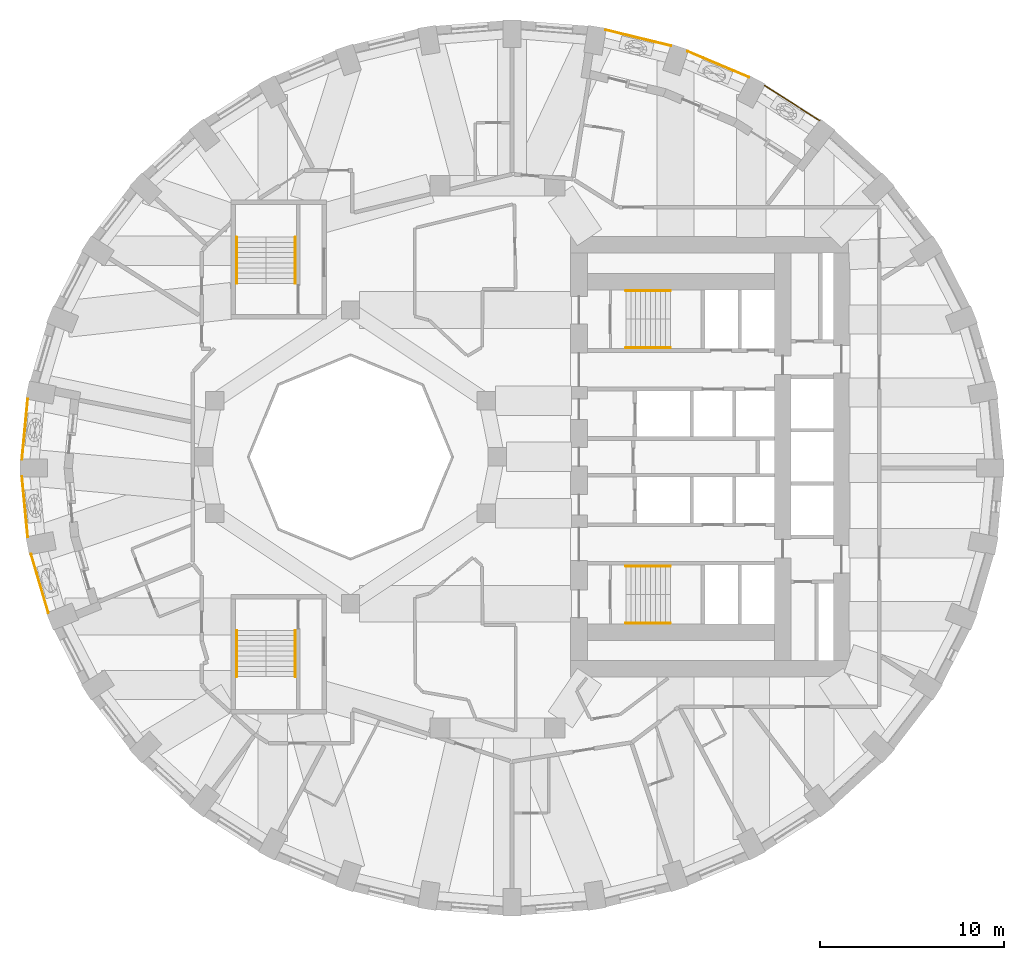
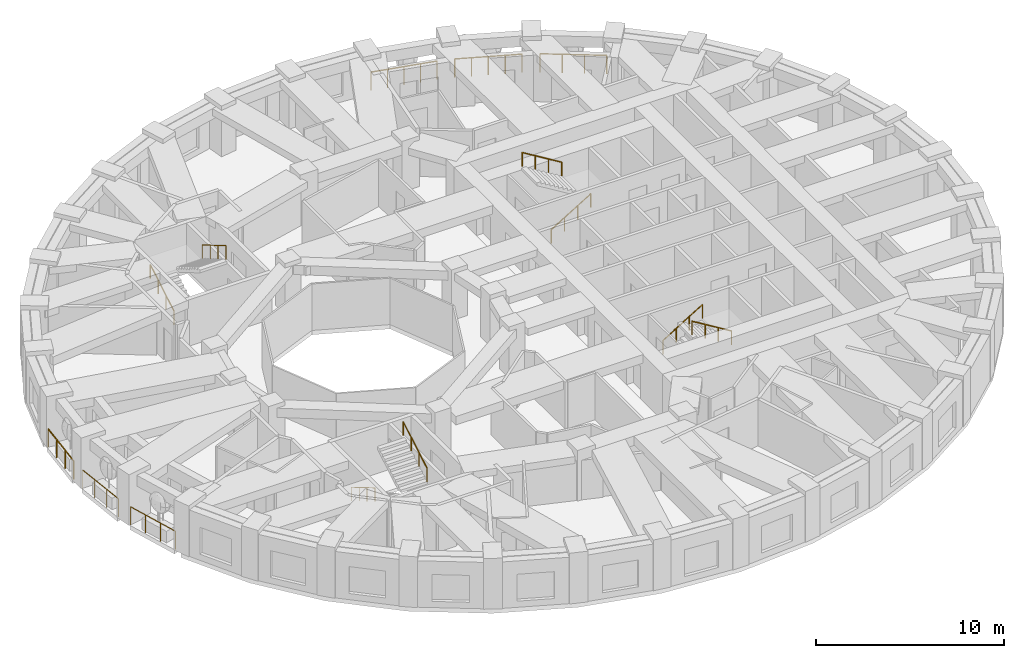
# One storey, part 10 of 12: 14 railings.
"""IFC4 building model written with IfcOpenShell, lengths in metres."""

from ifc_helpers import new_model, si_unit, direction, frame, origin, origin_2d, place, context, subcontext, project, spatial, circle, extrude, material, type_object, element, save


model = new_model("IFC4")

# Units and contexts
model_context = context("Model", 3, precision=1e-05, world=origin(), true_north=direction((0.0, 1.0)))
body_context = subcontext(model_context, "Body", "Model", "MODEL_VIEW")
ifc_project = project(units=[si_unit("LENGTHUNIT", "METRE"), si_unit("AREAUNIT", "SQUARE_METRE"), si_unit("VOLUMEUNIT", "CUBIC_METRE"), si_unit("PLANEANGLEUNIT", "RADIAN"), si_unit("MASSUNIT", "GRAM", prefix="KILO")], contexts=[model_context])

# Site, building, storey
site_placement = place(None, origin())
site = spatial("IfcSite", under=ifc_project, at=site_placement, CompositionType="ELEMENT")
building_placement = place(site_placement, origin())
building = spatial("IfcBuilding", under=site, at=building_placement, Name="Taillehof Tower", CompositionType="ELEMENT")
storey_placement = place(building_placement, frame((0.0, 0.0, 105.39990234375)))
storey = spatial("IfcBuildingStorey", under=building, at=storey_placement, Name="L29", CompositionType="ELEMENT", Elevation=105.39990234375)

# Railings
ifc_material_1 = material(Name="Stainless steel balustrade", Category="steel")
railing_type_1 = type_object("IfcRailingType", Name="Balcony guard 1200", PredefinedType="GUARDRAIL", material=ifc_material_1)
railing_1_placement = place(storey_placement, frame((17.556640625, 18.323486328125, 0.0)))
element("IfcRailing", 1, at=railing_1_placement, inside=storey, type_object=railing_type_1, Name="Balcony guard L29 bay 6", PredefinedType="GUARDRAIL", context=body_context, shape_type="SweptSolid", body=[
    extrude(circle(Radius=0.02392578125, at=origin_2d()), frame((0.0, 0.0, 1.17578125), z_axis=(-0.843861920992, 0.536560395761, 0.0), x_axis=(-0.536560395761, -0.843861920992, 0.0)), (0.0, 0.0, 1.0), 3.56005859375),
    extrude(circle(Radius=0.02099609375, at=origin_2d()), origin(), (0.0, 0.0, 1.0), 1.15185546875),
    extrude(circle(Radius=0.02099609375, at=origin_2d()), frame((-1.00146484375, 0.63671875, 0.0)), (0.0, 0.0, 1.0), 1.15185546875),
    extrude(circle(Radius=0.02099609375, at=origin_2d()), frame((-2.002685546875, 1.2734375, 0.0)), (0.0, 0.0, 1.0), 1.15185546875),
    extrude(circle(Radius=0.02099609375, at=origin_2d()), frame((-3.004150390625, 1.91015625, 0.0)), (0.0, 0.0, 1.0), 1.15185546875),
])
railing_2_placement = place(storey_placement, frame((13.702392578125, 20.679931640625, 0.0)))
element("IfcRailing", 2, at=railing_2_placement, inside=storey, type_object=railing_type_1, Name="Balcony guard L29 bay 7", PredefinedType="GUARDRAIL", context=body_context, shape_type="SweptSolid", body=[
    extrude(circle(Radius=0.02392578125, at=origin_2d()), frame((0.0, 0.0, 1.17578125), z_axis=(-0.920860132176, 0.389893084024, 0.0), x_axis=(-0.389893084024, -0.920860132176, 0.0)), (0.0, 0.0, 1.0), 3.61865234375),
    extrude(circle(Radius=0.02099609375, at=origin_2d()), origin(), (0.0, 0.0, 1.0), 1.15185546875),
    extrude(circle(Radius=0.02099609375, at=origin_2d()), frame((-0.8330078125, 0.352783203125, 0.0)), (0.0, 0.0, 1.0), 1.15185546875),
    extrude(circle(Radius=0.02099609375, at=origin_2d()), frame((-1.666015625, 0.70556640625, 0.0)), (0.0, 0.0, 1.0), 1.15185546875),
    extrude(circle(Radius=0.02099609375, at=origin_2d()), frame((-2.499267578125, 1.05810546875, 0.0)), (0.0, 0.0, 1.0), 1.15185546875),
    extrude(circle(Radius=0.02099609375, at=origin_2d()), frame((-3.332275390625, 1.410888671875, 0.0)), (0.0, 0.0, 1.0), 1.15185546875),
])
railing_3_placement = place(storey_placement, frame((9.45849609375, 22.392333984375, 0.0)))
element("IfcRailing", 3, at=railing_3_placement, inside=storey, type_object=railing_type_1, Name="Balcony guard L29 bay 8", PredefinedType="GUARDRAIL", context=body_context, shape_type="SweptSolid", body=[
    extrude(circle(Radius=0.02392578125, at=origin_2d()), frame((0.0, 0.0, 1.17578125), z_axis=(-0.971645249883, 0.236443457047, 0.0), x_axis=(-0.236443457047, -0.971645249883, 0.0)), (0.0, 0.0, 1.0), 3.661376953125),
    extrude(circle(Radius=0.02099609375, at=origin_2d()), origin(), (0.0, 0.0, 1.0), 1.15185546875),
    extrude(circle(Radius=0.02099609375, at=origin_2d()), frame((-0.889404296875, 0.21630859375, 0.0)), (0.0, 0.0, 1.0), 1.15185546875),
    extrude(circle(Radius=0.02099609375, at=origin_2d()), frame((-1.77880859375, 0.432861328125, 0.0)), (0.0, 0.0, 1.0), 1.15185546875),
    extrude(circle(Radius=0.02099609375, at=origin_2d()), frame((-2.668212890625, 0.6494140625, 0.0)), (0.0, 0.0, 1.0), 1.15185546875),
    extrude(circle(Radius=0.02099609375, at=origin_2d()), frame((-3.5576171875, 0.86572265625, 0.0)), (0.0, 0.0, 1.0), 1.15185546875),
])
railing_4_placement = place(storey_placement, frame((-25.57763671875, 3.157958984375, 0.0)))
element("IfcRailing", 4, at=railing_4_placement, inside=storey, type_object=railing_type_1, Name="Balcony guard L29 bay 18", PredefinedType="GUARDRAIL", context=body_context, shape_type="SweptSolid", body=[
    extrude(circle(Radius=0.02392578125, at=origin_2d()), frame((0.0, 0.0, 1.17578125), z_axis=(-0.095935608485, -0.995387542129, 0.0), x_axis=(0.995387542129, -0.095935608485, 0.0)), (0.0, 0.0, 1.0), 3.29296875),
    extrude(circle(Radius=0.02099609375, at=origin_2d()), origin(), (0.0, 0.0, 1.0), 1.15185546875),
    extrude(circle(Radius=0.02099609375, at=origin_2d()), frame((-0.105224609375, -1.092529296875, 0.0)), (0.0, 0.0, 1.0), 1.15185546875),
    extrude(circle(Radius=0.02099609375, at=origin_2d()), frame((-0.210693359375, -2.185302734375, 0.0)), (0.0, 0.0, 1.0), 1.15185546875),
    extrude(circle(Radius=0.02099609375, at=origin_2d()), frame((-0.31591796875, -3.27783203125, 0.0)), (0.0, 0.0, 1.0), 1.15185546875),
])
railing_5_placement = place(storey_placement, frame((-25.8935546875, -1.080078125, 0.0)))
element("IfcRailing", 5, at=railing_5_placement, inside=storey, type_object=railing_type_1, Name="Balcony guard L29 bay 19", PredefinedType="GUARDRAIL", context=body_context, shape_type="SweptSolid", body=[
    extrude(circle(Radius=0.02392578125, at=origin_2d()), frame((0.0, 0.0, 1.17578125), z_axis=(0.095935608485, -0.995387542129, 0.0), x_axis=(0.995387542129, 0.095935608485, 0.0)), (0.0, 0.0, 1.0), 3.29296875),
    extrude(circle(Radius=0.02099609375, at=origin_2d()), origin(), (0.0, 0.0, 1.0), 1.15185546875),
    extrude(circle(Radius=0.02099609375, at=origin_2d()), frame((0.105224609375, -1.092529296875, 0.0)), (0.0, 0.0, 1.0), 1.15185546875),
    extrude(circle(Radius=0.02099609375, at=origin_2d()), frame((0.210693359375, -2.185302734375, 0.0)), (0.0, 0.0, 1.0), 1.15185546875),
    extrude(circle(Radius=0.02099609375, at=origin_2d()), frame((0.31591796875, -3.27783203125, 0.0)), (0.0, 0.0, 1.0), 1.15185546875),
])
railing_6_placement = place(storey_placement, frame((-25.394775390625, -5.300537109375, 0.0)))
element("IfcRailing", 6, at=railing_6_placement, inside=storey, type_object=railing_type_1, Name="Balcony guard L29 bay 20", PredefinedType="GUARDRAIL", context=body_context, shape_type="SweptSolid", body=[
    extrude(circle(Radius=0.02392578125, at=origin_2d()), frame((0.0, 0.0, 1.17578125), z_axis=(0.283030785866, -0.959110824802, 0.0), x_axis=(0.959110824802, 0.283030785866, 0.0)), (0.0, 0.0, 1.0), 3.317626953125),
    extrude(circle(Radius=0.02099609375, at=origin_2d()), origin(), (0.0, 0.0, 1.0), 1.15185546875),
    extrude(circle(Radius=0.02099609375, at=origin_2d()), frame((0.31298828125, -1.060546875, 0.0)), (0.0, 0.0, 1.0), 1.15185546875),
    extrude(circle(Radius=0.02099609375, at=origin_2d()), frame((0.6259765625, -2.121337890625, 0.0)), (0.0, 0.0, 1.0), 1.15185546875),
    extrude(circle(Radius=0.02099609375, at=origin_2d()), frame((0.93896484375, -3.181884765625, 0.0)), (0.0, 0.0, 1.0), 1.15185546875),
])
ifc_material_2 = material(Name="Stainless steel", Category="steel")
railing_type_2 = type_object("IfcRailingType", Name="Stair handrail 900", PredefinedType="HANDRAIL", material=ifc_material_2)
railing_7_placement = place(storey_placement, frame((7.0, 5.949951171875, 0.1650390625)))
element("IfcRailing", 7, at=railing_7_placement, inside=storey, type_object=railing_type_2, Name="Stair S1 handrail", PredefinedType="HANDRAIL", context=body_context, shape_type="SweptSolid", body=[
    extrude(circle(Radius=0.02392578125, at=origin_2d()), frame((0.0, 0.0, 0.8759765625), z_axis=(0.853258522278, 0.0, 0.521488153423), x_axis=(0.0, 1.0, 0.0)), (0.0, 0.0, 1.0), 2.847900390625),
    extrude(circle(Radius=0.02099609375, at=origin_2d()), origin(), (0.0, 0.0, 1.0), 0.851806640625),
    extrude(circle(Radius=0.02099609375, at=origin_2d()), frame((0.81005859375, 0.0, 0.4951171875)), (0.0, 0.0, 1.0), 0.851806640625),
    extrude(circle(Radius=0.02099609375, at=origin_2d()), frame((1.619873046875, 0.0, 0.989990234375)), (0.0, 0.0, 1.0), 0.851806640625),
    extrude(circle(Radius=0.02099609375, at=origin_2d()), frame((2.429931640625, 0.0, 1.485107421875)), (0.0, 0.0, 1.0), 0.851806640625),
])
railing_8_placement = place(storey_placement, frame((9.429931640625, 9.050048828125, 1.815185546875)))
element("IfcRailing", 8, at=railing_8_placement, inside=storey, type_object=railing_type_2, Name="Stair S1 handrail", PredefinedType="HANDRAIL", context=body_context, shape_type="SweptSolid", body=[
    extrude(circle(Radius=0.02392578125, at=origin_2d()), frame((0.0, 0.0, 0.8759765625), z_axis=(-0.853296667938, 0.0, 0.521425734392), x_axis=(0.0, -1.0, 0.0)), (0.0, 0.0, 1.0), 2.84765625),
    extrude(circle(Radius=0.02099609375, at=origin_2d()), origin(), (0.0, 0.0, 1.0), 0.851806640625),
    extrude(circle(Radius=0.02099609375, at=origin_2d()), frame((-0.81005859375, 0.0, 0.494873046875)), (0.0, 0.0, 1.0), 0.851806640625),
    extrude(circle(Radius=0.02099609375, at=origin_2d()), frame((-1.619873046875, 0.0, 0.989990234375)), (0.0, 0.0, 1.0), 0.851806640625),
    extrude(circle(Radius=0.02099609375, at=origin_2d()), frame((-2.429931640625, 0.0, 1.48486328125)), (0.0, 0.0, 1.0), 0.851806640625),
])
railing_9_placement = place(storey_placement, frame((7.0, -5.949951171875, 0.1650390625)))
element("IfcRailing", 9, at=railing_9_placement, inside=storey, type_object=railing_type_2, Name="Stair S2 handrail", PredefinedType="HANDRAIL", context=body_context, shape_type="SweptSolid", body=[
    extrude(circle(Radius=0.02392578125, at=origin_2d()), frame((0.0, 0.0, 0.8759765625), z_axis=(0.853258522278, 0.0, 0.521488153423), x_axis=(0.0, 1.0, 0.0)), (0.0, 0.0, 1.0), 2.847900390625),
    extrude(circle(Radius=0.02099609375, at=origin_2d()), origin(), (0.0, 0.0, 1.0), 0.851806640625),
    extrude(circle(Radius=0.02099609375, at=origin_2d()), frame((0.81005859375, 0.0, 0.4951171875)), (0.0, 0.0, 1.0), 0.851806640625),
    extrude(circle(Radius=0.02099609375, at=origin_2d()), frame((1.619873046875, 0.0, 0.989990234375)), (0.0, 0.0, 1.0), 0.851806640625),
    extrude(circle(Radius=0.02099609375, at=origin_2d()), frame((2.429931640625, 0.0, 1.485107421875)), (0.0, 0.0, 1.0), 0.851806640625),
])
railing_10_placement = place(storey_placement, frame((9.429931640625, -9.050048828125, 1.815185546875)))
element("IfcRailing", 10, at=railing_10_placement, inside=storey, type_object=railing_type_2, Name="Stair S2 handrail", PredefinedType="HANDRAIL", context=body_context, shape_type="SweptSolid", body=[
    extrude(circle(Radius=0.02392578125, at=origin_2d()), frame((0.0, 0.0, 0.8759765625), z_axis=(-0.853296667938, 0.0, 0.521425734392), x_axis=(0.0, -1.0, 0.0)), (0.0, 0.0, 1.0), 2.84765625),
    extrude(circle(Radius=0.02099609375, at=origin_2d()), origin(), (0.0, 0.0, 1.0), 0.851806640625),
    extrude(circle(Radius=0.02099609375, at=origin_2d()), frame((-0.81005859375, 0.0, 0.494873046875)), (0.0, 0.0, 1.0), 0.851806640625),
    extrude(circle(Radius=0.02099609375, at=origin_2d()), frame((-1.619873046875, 0.0, 0.989990234375)), (0.0, 0.0, 1.0), 0.851806640625),
    extrude(circle(Radius=0.02099609375, at=origin_2d()), frame((-2.429931640625, 0.0, 1.48486328125)), (0.0, 0.0, 1.0), 0.851806640625),
])
railing_11_placement = place(storey_placement, frame((-14.199951171875, 9.449951171875, 0.1650390625)))
element("IfcRailing", 11, at=railing_11_placement, inside=storey, type_object=railing_type_2, Name="Stair S3 handrail", PredefinedType="HANDRAIL", context=body_context, shape_type="SweptSolid", body=[
    extrude(circle(Radius=0.02392578125, at=origin_2d()), frame((0.0, 0.0, 0.8759765625), z_axis=(0.0, 0.86152411907, 0.507716645641), x_axis=(-1.0, 0.0, 0.0)), (0.0, 0.0, 1.0), 2.925048828125),
    extrude(circle(Radius=0.02099609375, at=origin_2d()), origin(), (0.0, 0.0, 1.0), 0.851806640625),
    extrude(circle(Radius=0.02099609375, at=origin_2d()), frame((0.0, 0.840087890625, 0.4951171875)), (0.0, 0.0, 1.0), 0.851806640625),
    extrude(circle(Radius=0.02099609375, at=origin_2d()), frame((0.0, 1.679931640625, 0.989990234375)), (0.0, 0.0, 1.0), 0.851806640625),
    extrude(circle(Radius=0.02099609375, at=origin_2d()), frame((0.0, 2.52001953125, 1.485107421875)), (0.0, 0.0, 1.0), 0.851806640625),
])
railing_12_placement = place(storey_placement, frame((-11.0, 11.969970703125, 1.815185546875)))
element("IfcRailing", 12, at=railing_12_placement, inside=storey, type_object=railing_type_2, Name="Stair S3 handrail", PredefinedType="HANDRAIL", context=body_context, shape_type="SweptSolid", body=[
    extrude(circle(Radius=0.02392578125, at=origin_2d()), frame((0.0, 0.0, 0.8759765625), z_axis=(0.0, -0.861560626758, 0.507654692109), x_axis=(1.0, 0.0, 0.0)), (0.0, 0.0, 1.0), 2.925048828125),
    extrude(circle(Radius=0.02099609375, at=origin_2d()), origin(), (0.0, 0.0, 1.0), 0.851806640625),
    extrude(circle(Radius=0.02099609375, at=origin_2d()), frame((0.0, -0.840087890625, 0.494873046875)), (0.0, 0.0, 1.0), 0.851806640625),
    extrude(circle(Radius=0.02099609375, at=origin_2d()), frame((0.0, -1.679931640625, 0.989990234375)), (0.0, 0.0, 1.0), 0.851806640625),
    extrude(circle(Radius=0.02099609375, at=origin_2d()), frame((0.0, -2.52001953125, 1.48486328125)), (0.0, 0.0, 1.0), 0.851806640625),
])
railing_13_placement = place(storey_placement, frame((-14.199951171875, -9.449951171875, 0.1650390625)))
element("IfcRailing", 13, at=railing_13_placement, inside=storey, type_object=railing_type_2, Name="Stair S4 handrail", PredefinedType="HANDRAIL", context=body_context, shape_type="SweptSolid", body=[
    extrude(circle(Radius=0.02392578125, at=origin_2d()), frame((0.0, 0.0, 0.8759765625), z_axis=(0.0, -0.86152411907, 0.507716645641), x_axis=(1.0, 0.0, 0.0)), (0.0, 0.0, 1.0), 2.925048828125),
    extrude(circle(Radius=0.02099609375, at=origin_2d()), origin(), (0.0, 0.0, 1.0), 0.851806640625),
    extrude(circle(Radius=0.02099609375, at=origin_2d()), frame((0.0, -0.840087890625, 0.4951171875)), (0.0, 0.0, 1.0), 0.851806640625),
    extrude(circle(Radius=0.02099609375, at=origin_2d()), frame((0.0, -1.679931640625, 0.989990234375)), (0.0, 0.0, 1.0), 0.851806640625),
    extrude(circle(Radius=0.02099609375, at=origin_2d()), frame((0.0, -2.52001953125, 1.485107421875)), (0.0, 0.0, 1.0), 0.851806640625),
])
railing_14_placement = place(storey_placement, frame((-11.0, -11.969970703125, 1.815185546875)))
element("IfcRailing", 14, at=railing_14_placement, inside=storey, type_object=railing_type_2, Name="Stair S4 handrail", PredefinedType="HANDRAIL", context=body_context, shape_type="SweptSolid", body=[
    extrude(circle(Radius=0.02392578125, at=origin_2d()), frame((0.0, 0.0, 0.8759765625), z_axis=(0.0, 0.861560626758, 0.507654692109), x_axis=(-1.0, 0.0, 0.0)), (0.0, 0.0, 1.0), 2.925048828125),
    extrude(circle(Radius=0.02099609375, at=origin_2d()), origin(), (0.0, 0.0, 1.0), 0.851806640625),
    extrude(circle(Radius=0.02099609375, at=origin_2d()), frame((0.0, 0.840087890625, 0.494873046875)), (0.0, 0.0, 1.0), 0.851806640625),
    extrude(circle(Radius=0.02099609375, at=origin_2d()), frame((0.0, 1.679931640625, 0.989990234375)), (0.0, 0.0, 1.0), 0.851806640625),
    extrude(circle(Radius=0.02099609375, at=origin_2d()), frame((0.0, 2.52001953125, 1.48486328125)), (0.0, 0.0, 1.0), 0.851806640625),
])

save(model, "model.ifc")
